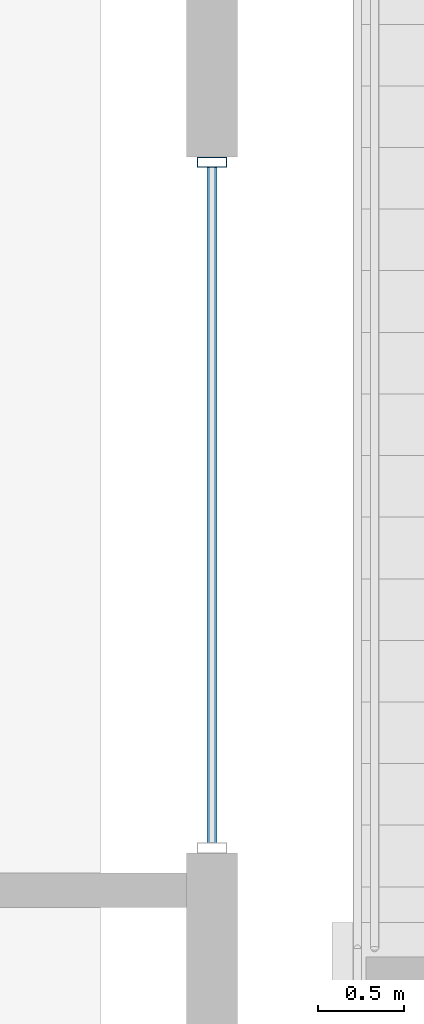
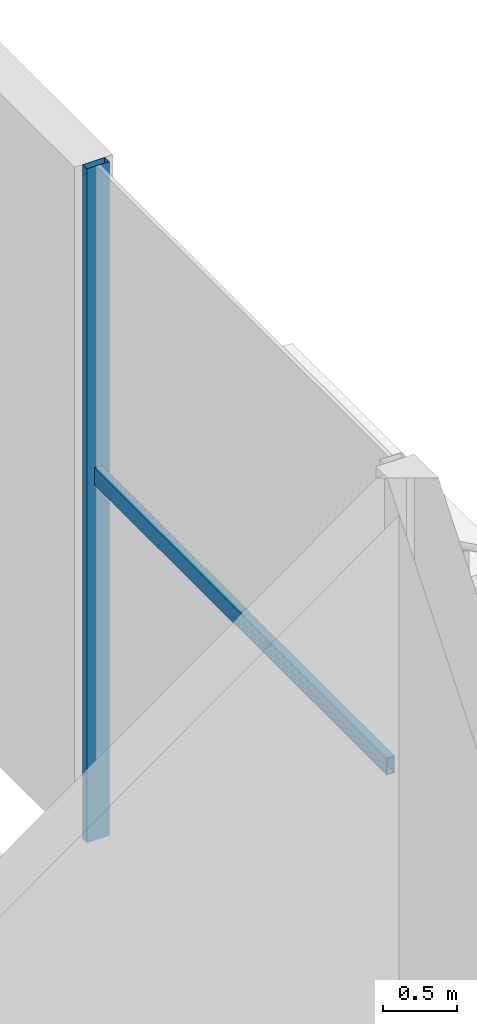
# One storey, part 17 of 68: 2 members, 1 element without a shape of its own.
"""IFC4 building model written with IfcOpenShell, lengths in metres."""

from ifc_helpers import new_model, si_unit, direction, frame, origin, origin_2d, place, context, subcontext, project, spatial, hollow_rectangle, extrude, material, material_profile, profile_set, type_object, element, aggregate, save


model = new_model("IFC4")

# Units and contexts
model_context = context("Model", 3, precision=1e-05, world=origin(), true_north=direction((0.0, 1.0)))
body_context = subcontext(model_context, "Body", "Model", "MODEL_VIEW")
ifc_project = project(units=[si_unit("LENGTHUNIT", "METRE"), si_unit("AREAUNIT", "SQUARE_METRE"), si_unit("VOLUMEUNIT", "CUBIC_METRE"), si_unit("PLANEANGLEUNIT", "RADIAN"), si_unit("MASSUNIT", "GRAM", prefix="KILO")], contexts=[model_context])

# Site, building, storey
site_placement = place(None, origin())
site = spatial("IfcSite", under=ifc_project, at=site_placement, CompositionType="ELEMENT")
building_placement = place(site_placement, origin())
building = spatial("IfcBuilding", under=site, at=building_placement, Name="Altepetl Exchange Towers", CompositionType="ELEMENT")
storey_placement = place(building_placement, origin())
storey = spatial("IfcBuildingStorey", under=building, at=storey_placement, Name="L00 Ground concourse", CompositionType="ELEMENT", Elevation=0.0)

# Curtain wall, members
ifc_material_1 = material(Name="Aluminium 6063-T6 glazing", Category="aluminium")
curtain_wall_type = type_object("IfcCurtainWallType", Name="Podium storefront system", PredefinedType="NOTDEFINED", material=ifc_material_1)
curtain_wall_placement = place(storey_placement, origin())
curtain_wall = element("IfcCurtainWall", 1, at=curtain_wall_placement, inside=storey, type_object=curtain_wall_type, Name="CW5 run", PredefinedType="NOTDEFINED")
ifc_material_2 = material(Name="Aluminium 6063-T6", Category="aluminium")
ifc_material_profile_1 = material_profile(ifc_material_2, hollow_rectangle(XDim=0.06005859375, YDim=0.175048828125, WallThickness=0.0029296875, at=origin_2d()), Name="Mullion 60x175 aluminium")
ifc_profile_set_1 = profile_set([ifc_material_profile_1], Name="Aluminium 6063-T6")
member_type_1 = type_object("IfcMemberType", Name="Mullion 60x175 aluminium", PredefinedType="MULLION", material=ifc_profile_set_1)
member_1_placement = place(storey_placement, frame((152.85009765625, 17.75341796875, 0.0), z_axis=(0.0, 0.0, 1.0), x_axis=(0.0, 1.0, 0.0)))
member_1 = element("IfcMember", 2, at=member_1_placement, type_object=member_type_1, Name="MU4 mullion", PredefinedType="MULLION", context=body_context, shape_type="SweptSolid", body=[
    extrude(hollow_rectangle(XDim=0.06005859375, YDim=0.175048828125, WallThickness=0.0029296875, at=origin_2d()), origin(), (0.0, 0.0, 1.0), 5.550048828125),
])
ifc_material_profile_2 = material_profile(ifc_material_2, hollow_rectangle(XDim=0.06005859375, YDim=0.139892578125, WallThickness=0.0029296875, at=origin_2d()), Name="Transom 60x140 aluminium")
ifc_profile_set_2 = profile_set([ifc_material_profile_2], Name="Aluminium 6063-T6")
member_type_2 = type_object("IfcMemberType", Name="Transom 60x140 aluminium", PredefinedType="USERDEFINED", material=ifc_profile_set_2)
member_2_placement = place(storey_placement, frame((152.85009765625, 13.776611328125, 3.0), z_axis=(0.0, 1.0, 0.0), x_axis=(-1.0, 0.0, 0.0)))
member_2 = element("IfcMember", 3, at=member_2_placement, type_object=member_type_2, Name="TR3 transom", ObjectType="TRANSOM", PredefinedType="USERDEFINED", context=body_context, shape_type="SweptSolid", body=[
    extrude(hollow_rectangle(XDim=0.06005859375, YDim=0.139892578125, WallThickness=0.0029296875, at=origin_2d()), origin(), (0.0, 0.0, 1.0), 3.94677734375),
])
aggregate(curtain_wall, [member_1, member_2])

save(model, "model.ifc")
